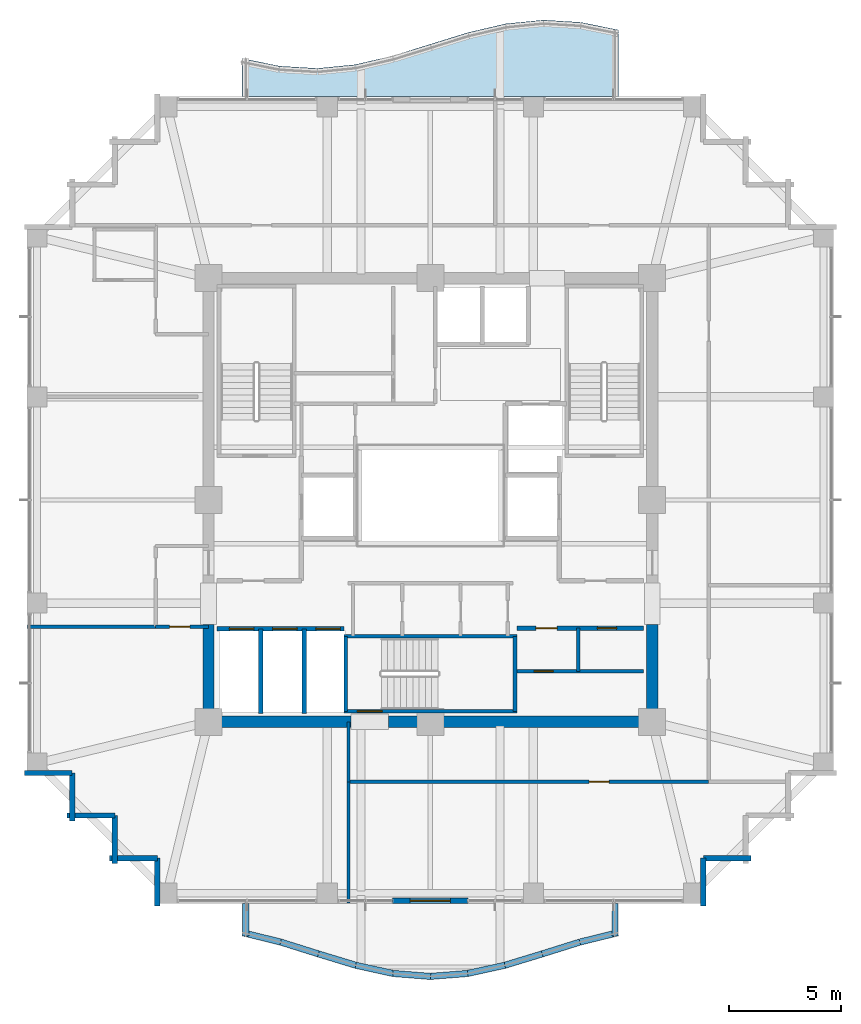
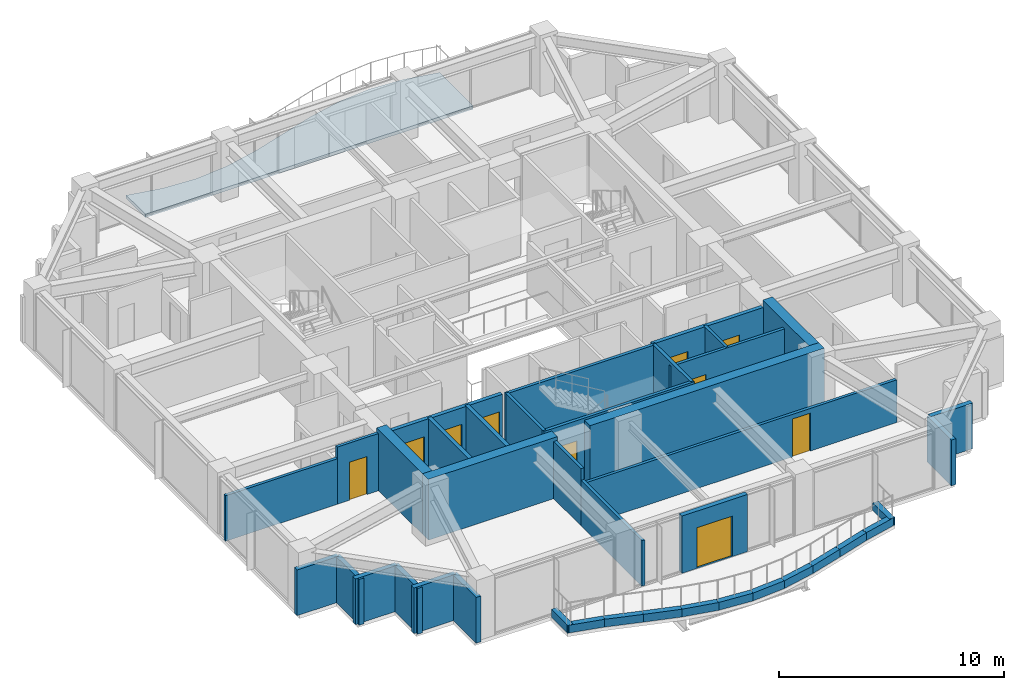
# One storey, part 26 of 31: 40 walls, 10 doors, 1 slab, 10 openings.
"""IFC4 building model written with IfcOpenShell, lengths in metres."""

from ifc_helpers import new_model, si_unit, direction, frame, frame_2d, origin, place, context, subcontext, project, spatial, polyline, rectangle, outline, extrude, material, layer, layer_set, type_object, element, fill, save


model = new_model("IFC4")

# Units and contexts
model_context = context("Model", 3, precision=1e-05, world=origin(), true_north=direction((0.0, 1.0)))
body_context = subcontext(model_context, "Body", "Model", "MODEL_VIEW")
ifc_project = project(units=[si_unit("LENGTHUNIT", "METRE"), si_unit("AREAUNIT", "SQUARE_METRE"), si_unit("VOLUMEUNIT", "CUBIC_METRE"), si_unit("PLANEANGLEUNIT", "RADIAN"), si_unit("MASSUNIT", "GRAM", prefix="KILO")], contexts=[model_context])

# Site, building, storey
site_placement = place(None, origin())
site = spatial("IfcSite", under=ifc_project, at=site_placement, CompositionType="ELEMENT")
building_placement = place(site_placement, origin())
building = spatial("IfcBuilding", under=site, at=building_placement, Name="Kolvaren Belvedere", CompositionType="ELEMENT")
storey_placement = place(building_placement, frame((0.0, 0.0, 134.89990234375)))
storey = spatial("IfcBuildingStorey", under=building, at=storey_placement, Name="L39", CompositionType="ELEMENT", Elevation=134.89990234375)

# Slab
ifc_material_1 = material(Name="Concrete C50/60", Category="concrete")
ifc_layer_1 = layer(ifc_material_1, 0.179931640625)
ifc_layer_set_1 = layer_set([ifc_layer_1], Name="Concrete C50/60")
slab_type = type_object("IfcSlabType", Name="SL-BAL-180", PredefinedType="FLOOR", material=ifc_layer_set_1)
slab_placement = place(storey_placement, frame((0.0, 0.0, -0.199951171875)))
element("IfcSlab", 1, at=slab_placement, inside=storey, type_object=slab_type, Name="L39 Planted Balcony BAL-N", PredefinedType="FLOOR", context=body_context, shape_type="SweptSolid", body=[
    extrude(outline(polyline([(-8.39990234375, 18.0), (-6.719970703125, 18.0), (-5.0400390625, 18.0), (-3.360107421875, 18.0), (-1.679931640625, 18.0), (0.0, 18.0), (1.679931640625, 18.0), (3.360107421875, 18.0), (5.0400390625, 18.0), (6.719970703125, 18.0), (8.39990234375, 18.0), (8.39990234375, 20.974853515625), (6.719970703125, 21.317138671875), (5.0400390625, 21.419921875), (3.360107421875, 21.251953125), (1.679931640625, 20.8603515625), (0.0, 20.340087890625), (-1.679931640625, 19.819580078125), (-3.360107421875, 19.427978515625), (-5.0400390625, 19.26220703125), (-6.719970703125, 19.36279296875), (-8.39990234375, 19.705078125), (-8.39990234375, 18.0)])), origin(), (0.0, 0.0, 1.0), 0.179931640625),
])

# Walls
ifc_material_2 = material(Name="Concrete C50/60", Category="concrete")
ifc_layer_2 = layer(ifc_material_2, 0.5)
ifc_layer_set_2 = layer_set([ifc_layer_2], Name="Concrete C50/60")
wall_type_1 = type_object("IfcWallType", Name="CW-CORE-500", PredefinedType="SHEAR", material=ifc_layer_set_2)
wall_1_placement = place(storey_placement, frame((10.14990234375, -9.89990234375, 0.0), z_axis=(0.0, 0.0, 1.0), x_axis=(-1.0, 0.0, 0.0)))
element("IfcWall", 2, at=wall_1_placement, inside=storey, type_object=wall_type_1, Name="L39 South Core Shear Wall 1", PredefinedType="SHEAR", context=body_context, shape_type="SweptSolid", body=[
    extrude(rectangle(XDim=12.010009765625, YDim=0.5, at=frame_2d((6.0048828125, 0.0))), origin(), (0.0, 0.0, 1.0), 3.300048828125),
])
wall_2_placement = place(storey_placement, frame((-3.5400390625, -9.89990234375, 0.0), z_axis=(0.0, 0.0, 1.0), x_axis=(-1.0, 0.0, 0.0)))
element("IfcWall", 3, at=wall_2_placement, inside=storey, type_object=wall_type_1, Name="L39 South Core Shear Wall 2", PredefinedType="SHEAR", context=body_context, shape_type="SweptSolid", body=[
    extrude(rectangle(XDim=6.60986328125, YDim=0.5, at=frame_2d((3.304931640625, 0.0))), origin(), (0.0, 0.0, 1.0), 3.300048828125),
])
for number, where, z_axis, x_axis, name in (
    (4, (-9.89990234375, -9.64990234375, 0.0), (0.0, 0.0, 1.0), (0.0, 1.0, 0.0), "L39 West Core Shear Wall 1"),
    (5, (9.89990234375, -9.64990234375, 0.0), (0.0, 0.0, 1.0), (0.0, 1.0, 0.0), "L39 East Core Shear Wall 1"),
):
    element("IfcWall", number, at=place(storey_placement, frame(where, z_axis=z_axis, x_axis=x_axis)), inside=storey, type_object=wall_type_1, Name=name, PredefinedType="SHEAR", context=body_context, shape_type="SweptSolid", body=[
        extrude(rectangle(XDim=4.099853515625, YDim=0.5, at=frame_2d((2.0498046875, 0.0))), origin(), (0.0, 0.0, 1.0), 3.300048828125),
    ])

# Wall, opening, door
ifc_material_3 = material(Name="Concrete C50/60", Category="concrete")
ifc_layer_3 = layer(ifc_material_3, 0.159912109375)
ifc_layer_set_3 = layer_set([ifc_layer_3], Name="Concrete C50/60")
wall_type_2 = type_object("IfcWallType", Name="CW-STAIR-160", PredefinedType="SHEAR", material=ifc_layer_set_3)
wall_3_placement = place(storey_placement, frame((3.860107421875, -9.429931640625, 0.0), z_axis=(0.0, 0.0, 1.0), x_axis=(-1.0, 0.0, 0.0)))
wall_3 = element("IfcWall", 6, at=wall_3_placement, inside=storey, type_object=wall_type_2, Name="L39 Stair ST-3 South Shear Wall", PredefinedType="SHEAR", context=body_context, shape_type="SweptSolid", body=[
    extrude(rectangle(XDim=7.72021484375, YDim=0.159912109375, at=frame_2d((3.860107421875, 0.0))), origin(), (0.0, 0.0, 1.0), 3.300048828125),
])
opening_1_placement = place(wall_3_placement, frame((6.010009765625, 0.0, 0.0)))
opening_1 = element("IfcOpeningElement", 7, at=opening_1_placement, cuts=wall_3, Name="Opening D-FD90", PredefinedType="OPENING", context=body_context, shape_type="SweptSolid", body=[
    extrude(rectangle(XDim=1.10009765625, YDim=2.199951171875, at=frame_2d((0.550048828125, 1.10009765625))), frame((0.0, 0.08984375, 0.0), z_axis=(0.0, -1.0, 0.0), x_axis=(1.0, 0.0, 0.0)), (0.0, 0.0, 1.0), 0.179931640625),
])
ifc_material_4 = material(Name="Painted hollow stainless steel", Category="steel")
door_type_1 = type_object("IfcDoorType", Name="DR-FD90-1100", OperationType="NOTDEFINED", PredefinedType="DOOR", material=ifc_material_4)
door_1_placement = place(opening_1_placement, origin())
door_1 = element("IfcDoor", 8, at=door_1_placement, inside=storey, type_object=door_type_1, Name="L39 Stair ST-3 Exit Door", OperationType="SINGLE_SWING_RIGHT", OverallHeight=2.199951171875, OverallWidth=1.10009765625, PredefinedType="DOOR", context=body_context, shape_type="SweptSolid", body=[
    extrude(rectangle(XDim=1.10009765625, YDim=2.199951171875, at=frame_2d((0.550048828125, 1.10009765625))), frame((0.0, 0.02490234375, 0.0), z_axis=(0.0, -1.0, 0.0), x_axis=(1.0, 0.0, 0.0)), (0.0, 0.0, 1.0), 0.050048828125),
])
fill(opening_1, door_1)

# Walls
wall_4_placement = place(storey_placement, frame((-3.860107421875, -6.080078125, 0.0), z_axis=(0.0, 0.0, 1.0), x_axis=(1.0, 0.0, 0.0)))
element("IfcWall", 9, at=wall_4_placement, inside=storey, type_object=wall_type_2, Name="L39 Stair ST-3 North Shear Wall", PredefinedType="SHEAR", context=body_context, shape_type="SweptSolid", body=[
    extrude(rectangle(XDim=7.72021484375, YDim=0.159912109375, at=frame_2d((3.860107421875, 0.0))), origin(), (0.0, 0.0, 1.0), 3.300048828125),
])
for number, where, z_axis, x_axis, name in (
    (10, (-3.780029296875, -9.429931640625, 0.0), (0.0, 0.0, 1.0), (0.0, 1.0, 0.0), "L39 Stair ST-3 West Shear Wall"),
    (11, (3.780029296875, -9.429931640625, 0.0), (0.0, 0.0, 1.0), (0.0, 1.0, 0.0), "L39 Stair ST-3 East Shear Wall"),
):
    element("IfcWall", number, at=place(storey_placement, frame(where, z_axis=z_axis, x_axis=x_axis)), inside=storey, type_object=wall_type_2, Name=name, PredefinedType="SHEAR", context=body_context, shape_type="SweptSolid", body=[
        extrude(rectangle(XDim=3.349853515625, YDim=0.159912109375, at=frame_2d((1.6748046875, 0.0))), origin(), (0.0, 0.0, 1.0), 3.300048828125),
    ])

# Wall, opening, door
ifc_material_5 = material(Name="Gypsum fire-rated partition assembly", Category="gypsum")
ifc_layer_4 = layer(ifc_material_5, 0.14990234375)
ifc_layer_set_4 = layer_set([ifc_layer_4], Name="Gypsum fire-rated partition assembly")
wall_type_3 = type_object("IfcWallType", Name="WL-CORR-150", PredefinedType="PARTITIONING", material=ifc_layer_set_4)
wall_5_placement = place(storey_placement, frame((-3.64990234375, -12.580078125, 0.0), z_axis=(0.0, 0.0, 1.0), x_axis=(1.0, 0.0, 0.0)))
wall_5 = element("IfcWall", 12, at=wall_5_placement, inside=storey, type_object=wall_type_3, Name="L39 South-East Corridor Wall", PredefinedType="PARTITIONING", context=body_context, shape_type="SweptSolid", body=[
    extrude(rectangle(XDim=16.06982421875, YDim=0.14990234375, at=frame_2d((8.034912109375, 0.0))), origin(), (0.0, 0.0, 1.0), 2.31201171875),
])
opening_2_placement = place(wall_5_placement, frame((10.735107421875, 0.0, 0.0)))
opening_2 = element("IfcOpeningElement", 13, at=opening_2_placement, cuts=wall_5, Name="Opening D-INT90", PredefinedType="OPENING", context=body_context, shape_type="SweptSolid", body=[
    extrude(rectangle(XDim=0.89990234375, YDim=2.06005859375, at=frame_2d((0.449951171875, 1.030029296875))), frame((0.0, 0.0849609375, 0.0), z_axis=(0.0, -1.0, 0.0), x_axis=(1.0, 0.0, 0.0)), (0.0, 0.0, 1.0), 0.169921875),
])
ifc_material_6 = material(Name="Stained Pacific white oak", Category="timber")
door_type_2 = type_object("IfcDoorType", Name="DR-INT-900", OperationType="NOTDEFINED", PredefinedType="DOOR", material=ifc_material_6)
door_2_placement = place(opening_2_placement, origin())
door_2 = element("IfcDoor", 14, at=door_2_placement, inside=storey, type_object=door_type_2, Name="L39 Lounge 3908 Door", OperationType="SINGLE_SWING_LEFT", OverallHeight=2.06005859375, OverallWidth=0.89990234375, PredefinedType="DOOR", context=body_context, shape_type="SweptSolid", body=[
    extrude(rectangle(XDim=0.89990234375, YDim=2.06005859375, at=frame_2d((0.449951171875, 1.030029296875))), frame((0.0, 0.02490234375, 0.0), z_axis=(0.0, -1.0, 0.0), x_axis=(1.0, 0.0, 0.0)), (0.0, 0.0, 1.0), 0.050048828125),
])
fill(opening_2, door_2)

# Wall
wall_6_placement = place(storey_placement, frame((-3.64990234375, -12.580078125, 0.0), z_axis=(0.0, 0.0, 1.0), x_axis=(0.0, 1.0, 0.0)))
element("IfcWall", 15, at=wall_6_placement, inside=storey, type_object=wall_type_3, Name="L39 South Spur West Closure Wall", PredefinedType="PARTITIONING", context=body_context, shape_type="SweptSolid", body=[
    extrude(rectangle(XDim=2.68017578125, YDim=0.14990234375, at=frame_2d((1.340087890625, 0.0))), origin(), (0.0, 0.0, 1.0), 3.10009765625),
])

# Wall, opening, door
wall_7_placement = place(storey_placement, frame((-12.260009765625, -5.64990234375, 0.0), z_axis=(0.0, 0.0, 1.0), x_axis=(1.0, 0.0, 0.0)))
wall_7 = element("IfcWall", 16, at=wall_7_placement, inside=storey, type_object=wall_type_3, Name="L39 West Pocket South Closure Wall", PredefinedType="PARTITIONING", context=body_context, shape_type="SweptSolid", body=[
    extrude(rectangle(XDim=2.360107421875, YDim=0.14990234375, at=frame_2d((1.18017578125, 0.0))), origin(), (0.0, 0.0, 1.0), 3.10009765625),
])
opening_3_placement = place(wall_7_placement, frame((0.631591796875, 0.0, 0.0)))
opening_3 = element("IfcOpeningElement", 17, at=opening_3_placement, cuts=wall_7, Name="Opening D-INT90", PredefinedType="OPENING", context=body_context, shape_type="SweptSolid", body=[
    extrude(rectangle(XDim=0.89990234375, YDim=2.06005859375, at=frame_2d((0.449951171875, 1.030029296875))), frame((0.0, 0.0849609375, 0.0), z_axis=(0.0, -1.0, 0.0), x_axis=(1.0, 0.0, 0.0)), (0.0, 0.0, 1.0), 0.169921875),
])
door_3_placement = place(opening_3_placement, origin())
door_3 = element("IfcDoor", 18, at=door_3_placement, inside=storey, type_object=door_type_2, Name="L39 Lounge 3907 Door", OperationType="SINGLE_SWING_RIGHT", OverallHeight=2.06005859375, OverallWidth=0.89990234375, PredefinedType="DOOR", context=body_context, shape_type="SweptSolid", body=[
    extrude(rectangle(XDim=0.89990234375, YDim=2.06005859375, at=frame_2d((0.449951171875, 1.030029296875))), frame((0.0, 0.02490234375, 0.0), z_axis=(0.0, -1.0, 0.0), x_axis=(1.0, 0.0, 0.0)), (0.0, 0.0, 1.0), 0.050048828125),
])
fill(opening_3, door_3)

ifc_material_7 = material(Name="Insulated pale-metal facade wall assembly", Category="aluminium")
ifc_layer_5 = layer(ifc_material_7, 0.239990234375)
ifc_layer_set_5 = layer_set([ifc_layer_5], Name="Insulated pale-metal facade wall assembly")
wall_type_4 = type_object("IfcWallType", Name="WL-EXT-240", PredefinedType="STANDARD", material=ifc_layer_set_5)
wall_8_placement = place(storey_placement, frame((1.679931640625, -17.8798828125, 0.0), z_axis=(0.0, 0.0, 1.0), x_axis=(-1.0, 0.0, 0.0)))
wall_8 = element("IfcWall", 19, at=wall_8_placement, inside=storey, type_object=wall_type_4, Name="L39 South Terrace Portal Wall", PredefinedType="STANDARD", context=body_context, shape_type="SweptSolid", body=[
    extrude(rectangle(XDim=3.35986328125, YDim=0.239990234375, at=frame_2d((1.679931640625, 0.0))), origin(), (0.0, 0.0, 1.0), 3.10009765625),
])
opening_4_placement = place(wall_8_placement, frame((0.780029296875, 0.0, 0.0)))
opening_4 = element("IfcOpeningElement", 20, at=opening_4_placement, cuts=wall_8, Name="Opening DB-1800", PredefinedType="OPENING", context=body_context, shape_type="SweptSolid", body=[
    extrude(rectangle(XDim=1.800048828125, YDim=2.199951171875, at=frame_2d((0.89990234375, 1.10009765625))), frame((0.0, 0.1298828125, 0.0), z_axis=(0.0, -1.0, 0.0), x_axis=(1.0, 0.0, 0.0)), (0.0, 0.0, 1.0), 0.260009765625),
])
ifc_material_8 = material(Name="Thermally broken pale-metal aluminium & low-iron glass", Category="aluminium")
door_type_3 = type_object("IfcDoorType", Name="DR-BAL-1800", OperationType="DOUBLE_DOOR_SLIDING", PredefinedType="DOOR", material=ifc_material_8)
door_4_placement = place(opening_4_placement, origin())
door_4 = element("IfcDoor", 21, at=door_4_placement, inside=storey, type_object=door_type_3, Name="L39 South Planted Terrace Sliding Door", OperationType="DOUBLE_DOOR_SLIDING", OverallHeight=2.199951171875, OverallWidth=1.800048828125, PredefinedType="DOOR", context=body_context, shape_type="SweptSolid", body=[
    extrude(rectangle(XDim=1.800048828125, YDim=2.199951171875, at=frame_2d((0.89990234375, 1.10009765625))), frame((0.0, 0.02490234375, 0.0), z_axis=(0.0, -1.0, 0.0), x_axis=(1.0, 0.0, 0.0)), (0.0, 0.0, 1.0), 0.050048828125),
])
fill(opening_4, door_4)

# Walls
for number, where, z_axis, x_axis, name in (
    (22, (12.179931640625, -15.97998046875, 0.0), (0.0, 0.0, 1.0), (0.0, -1.0, 0.0), "L39 Serrated Corner Facade Wall 2"),
    (23, (14.320068359375, -15.97998046875, 0.0), (0.0, 0.0, 1.0), (-1.0, 0.0, 0.0), "L39 Serrated Corner Facade Wall 3"),
    (24, (-15.97998046875, -12.179931640625, 0.0), (0.0, 0.0, 1.0), (-1.0, 0.0, 0.0), "L39 Serrated Corner Facade Wall 23"),
    (25, (-15.97998046875, -14.320068359375, 0.0), (0.0, 0.0, 1.0), (0.0, 1.0, 0.0), "L39 Serrated Corner Facade Wall 24"),
):
    element("IfcWall", number, at=place(storey_placement, frame(where, z_axis=z_axis, x_axis=x_axis)), inside=storey, type_object=wall_type_4, Name=name, PredefinedType="STANDARD", context=body_context, shape_type="SweptSolid", body=[
        extrude(rectangle(XDim=2.14013671875, YDim=0.239990234375, at=frame_2d((1.070068359375, 0.0))), origin(), (0.0, 0.0, 1.0), 2.47900390625),
    ])
for number, where, z_axis, x_axis, name in (
    (26, (-14.080078125, -14.080078125, 0.0), (0.0, 0.0, 1.0), (-1.0, 0.0, 0.0), "L39 Serrated Corner Facade Wall 25"),
    (27, (-14.080078125, -16.219970703125, 0.0), (0.0, 0.0, 1.0), (0.0, 1.0, 0.0), "L39 Serrated Corner Facade Wall 26"),
):
    element("IfcWall", number, at=place(storey_placement, frame(where, z_axis=z_axis, x_axis=x_axis)), inside=storey, type_object=wall_type_4, Name=name, PredefinedType="STANDARD", context=body_context, shape_type="SweptSolid", body=[
        extrude(rectangle(XDim=2.139892578125, YDim=0.239990234375, at=frame_2d((1.06982421875, 0.0))), origin(), (0.0, 0.0, 1.0), 2.47900390625),
    ])
for number, where, z_axis, x_axis, name in (
    (28, (-12.179931640625, -15.97998046875, 0.0), (0.0, 0.0, 1.0), (-1.0, 0.0, 0.0), "L39 Serrated Corner Facade Wall 27"),
    (29, (-12.179931640625, -18.1201171875, 0.0), (0.0, 0.0, 1.0), (0.0, 1.0, 0.0), "L39 Serrated Corner Facade Wall 28"),
):
    element("IfcWall", number, at=place(storey_placement, frame(where, z_axis=z_axis, x_axis=x_axis)), inside=storey, type_object=wall_type_4, Name=name, PredefinedType="STANDARD", context=body_context, shape_type="SweptSolid", body=[
        extrude(rectangle(XDim=2.14013671875, YDim=0.239990234375, at=frame_2d((1.070068359375, 0.0))), origin(), (0.0, 0.0, 1.0), 2.47900390625),
    ])

# Wall, opening, door
ifc_material_9 = material(Name="Gypsum acoustic partition assembly", Category="gypsum")
ifc_layer_6 = layer(ifc_material_9, 0.14990234375)
ifc_layer_set_6 = layer_set([ifc_layer_6], Name="Gypsum acoustic partition assembly")
wall_type_5 = type_object("IfcWallType", Name="WL-PART-150", PredefinedType="PARTITIONING", material=ifc_layer_set_6)
wall_9_placement = place(storey_placement, frame((3.679931640625, -7.64990234375, 0.0), z_axis=(0.0, 0.0, 1.0), x_axis=(1.0, 0.0, 0.0)))
wall_9 = element("IfcWall", 30, at=wall_9_placement, inside=storey, type_object=wall_type_5, Name="L39 SE Core H-Divider", PredefinedType="PARTITIONING", context=body_context, shape_type="SweptSolid", body=[
    extrude(rectangle(XDim=5.840087890625, YDim=0.14990234375, at=frame_2d((2.919921875, 0.0))), origin(), (0.0, 0.0, 1.0), 3.10009765625),
])
opening_5_placement = place(wall_9_placement, frame((0.949951171875, 0.0, 0.0)))
opening_5 = element("IfcOpeningElement", 31, at=opening_5_placement, cuts=wall_9, Name="Opening D-INT85", PredefinedType="OPENING", context=body_context, shape_type="SweptSolid", body=[
    extrude(rectangle(XDim=0.85009765625, YDim=2.030029296875, at=frame_2d((0.425048828125, 1.01513671875))), frame((0.0, 0.0849609375, 0.0), z_axis=(0.0, -1.0, 0.0), x_axis=(1.0, 0.0, 0.0)), (0.0, 0.0, 1.0), 0.169921875),
])
ifc_material_10 = material(Name="Stained Pacific white oak", Category="timber")
door_type_4 = type_object("IfcDoorType", Name="DR-INT-850", OperationType="NOTDEFINED", PredefinedType="DOOR", material=ifc_material_10)
door_5_placement = place(opening_5_placement, origin())
door_5 = element("IfcDoor", 32, at=door_5_placement, inside=storey, type_object=door_type_4, Name="L39 SE Fibre Door", OperationType="SINGLE_SWING_RIGHT", OverallHeight=2.030029296875, OverallWidth=0.85009765625, PredefinedType="DOOR", context=body_context, shape_type="SweptSolid", body=[
    extrude(rectangle(XDim=0.85009765625, YDim=2.030029296875, at=frame_2d((0.425048828125, 1.01513671875))), frame((0.0, 0.02490234375, 0.0), z_axis=(0.0, -1.0, 0.0), x_axis=(1.0, 0.0, 0.0)), (0.0, 0.0, 1.0), 0.050048828125),
])
fill(opening_5, door_5)

# Walls
wall_10_placement = place(storey_placement, frame((6.60009765625, -7.64990234375, 0.0), z_axis=(0.0, 0.0, 1.0), x_axis=(0.0, 1.0, 0.0)))
element("IfcWall", 33, at=wall_10_placement, inside=storey, type_object=wall_type_5, Name="L39 SE Core V-Divider", PredefinedType="PARTITIONING", context=body_context, shape_type="SweptSolid", body=[
    extrude(rectangle(XDim=1.929931640625, YDim=0.14990234375, at=frame_2d((0.96484375, 0.0))), origin(), (0.0, 0.0, 1.0), 3.10009765625),
])
wall_11_placement = place(storey_placement, frame((-17.97998046875, -5.64990234375, 0.0), z_axis=(0.0, 0.0, 1.0), x_axis=(1.0, 0.0, 0.0)))
element("IfcWall", 34, at=wall_11_placement, inside=storey, type_object=wall_type_5, Name="L39 West Mid Suite South Wall", PredefinedType="PARTITIONING", context=body_context, shape_type="SweptSolid", body=[
    extrude(rectangle(XDim=5.719970703125, YDim=0.14990234375, at=frame_2d((2.85986328125, 0.0))), origin(), (0.0, 0.0, 1.0), 2.468994140625),
])
wall_12_placement = place(storey_placement, frame((-3.64990234375, -17.97998046875, 0.0), z_axis=(0.0, 0.0, 1.0), x_axis=(0.0, 1.0, 0.0)))
element("IfcWall", 35, at=wall_12_placement, inside=storey, type_object=wall_type_5, Name="L39 South Mid-West Wall", PredefinedType="PARTITIONING", context=body_context, shape_type="SweptSolid", body=[
    extrude(rectangle(XDim=5.39990234375, YDim=0.14990234375, at=frame_2d((2.699951171875, 0.0))), origin(), (0.0, 0.0, 1.0), 2.468994140625),
])
ifc_material_11 = material(Name="Precast concrete C40/50", Category="concrete")
ifc_layer_7 = layer(ifc_material_11, 0.300048828125)
ifc_layer_set_7 = layer_set([ifc_layer_7], Name="Precast concrete C40/50")
wall_type_6 = type_object("IfcWallType", Name="WL-PLANTER-300", PredefinedType="PARAPET", material=ifc_layer_set_7)
wall_13_placement = place(storey_placement, frame((-8.36181640625, -19.310791015625, -0.02001953125), z_axis=(0.0, 0.0, 1.0), x_axis=(0.970950361768, -0.239280995867, 0.0)))
element("IfcWall", 36, at=wall_13_placement, inside=storey, type_object=wall_type_6, Name="L39 Precast Structural Planter Wall BAL-S-1", PredefinedType="PARAPET", context=body_context, shape_type="SweptSolid", body=[
    extrude(rectangle(XDim=1.73046875, YDim=0.280029296875, at=frame_2d((0.865234375, 0.0))), origin(), (0.0, 0.0, 1.0), 0.420166015625),
])
wall_14_placement = place(storey_placement, frame((-6.672119140625, -19.7275390625, -0.02001953125), z_axis=(0.0, 0.0, 1.0), x_axis=(0.954057149461, -0.299624691176, 0.0)))
element("IfcWall", 37, at=wall_14_placement, inside=storey, type_object=wall_type_6, Name="L39 Precast Structural Planter Wall BAL-S-2", PredefinedType="PARAPET", context=body_context, shape_type="SweptSolid", body=[
    extrude(rectangle(XDim=1.7607421875, YDim=0.280029296875, at=frame_2d((0.88037109375, 0.0))), origin(), (0.0, 0.0, 1.0), 0.420166015625),
])
wall_15_placement = place(storey_placement, frame((-4.993408203125, -20.254638671875, -0.02001953125), z_axis=(0.0, 0.0, 1.0), x_axis=(0.956721015747, -0.291006697567, 0.0)))
element("IfcWall", 38, at=wall_15_placement, inside=storey, type_object=wall_type_6, Name="L39 Precast Structural Planter Wall BAL-S-3", PredefinedType="PARAPET", context=body_context, shape_type="SweptSolid", body=[
    extrude(rectangle(XDim=1.755859375, YDim=0.280029296875, at=frame_2d((0.8779296875, 0.0))), origin(), (0.0, 0.0, 1.0), 0.420166015625),
])
wall_16_placement = place(storey_placement, frame((-3.32568359375, -20.762451171875, -0.02001953125), z_axis=(0.0, 0.0, 1.0), x_axis=(0.976876857632, -0.213802724545, 0.0)))
element("IfcWall", 39, at=wall_16_placement, inside=storey, type_object=wall_type_6, Name="L39 Precast Structural Planter Wall BAL-S-4", PredefinedType="PARAPET", context=body_context, shape_type="SweptSolid", body=[
    extrude(rectangle(XDim=1.7197265625, YDim=0.280029296875, at=frame_2d((0.85986328125, 0.0))), origin(), (0.0, 0.0, 1.0), 0.420166015625),
])
for number, where, z_axis, x_axis, name in (
    (40, (-1.667236328125, -21.126953125, -0.02001953125), (0.0, 0.0, 1.0), (0.99685522818, -0.079244268248, 0.0), "L39 Precast Structural Planter Wall BAL-S-5"),
    (41, (-0.0126953125, -21.260498046875, -0.02001953125), (0.0, 0.0, 1.0), (0.99685522818, 0.079244268248, 0.0), "L39 Precast Structural Planter Wall BAL-S-6"),
):
    element("IfcWall", number, at=place(storey_placement, frame(where, z_axis=z_axis, x_axis=x_axis)), inside=storey, type_object=wall_type_6, Name=name, PredefinedType="PARAPET", context=body_context, shape_type="SweptSolid", body=[
        extrude(rectangle(XDim=1.685302734375, YDim=0.280029296875, at=frame_2d((0.8427734375, 0.0))), origin(), (0.0, 0.0, 1.0), 0.420166015625),
    ])
wall_17_placement = place(storey_placement, frame((1.645751953125, -21.130126953125, -0.02001953125), z_axis=(0.0, 0.0, 1.0), x_axis=(0.976876857632, 0.213802724545, 0.0)))
element("IfcWall", 42, at=wall_17_placement, inside=storey, type_object=wall_type_6, Name="L39 Precast Structural Planter Wall BAL-S-7", PredefinedType="PARAPET", context=body_context, shape_type="SweptSolid", body=[
    extrude(rectangle(XDim=1.7197265625, YDim=0.280029296875, at=frame_2d((0.85986328125, 0.0))), origin(), (0.0, 0.0, 1.0), 0.420166015625),
])
wall_18_placement = place(storey_placement, frame((3.3134765625, -20.765625, -0.02001953125), z_axis=(0.0, 0.0, 1.0), x_axis=(0.956721015747, 0.291006697567, 0.0)))
element("IfcWall", 43, at=wall_18_placement, inside=storey, type_object=wall_type_6, Name="L39 Precast Structural Planter Wall BAL-S-8", PredefinedType="PARAPET", context=body_context, shape_type="SweptSolid", body=[
    extrude(rectangle(XDim=1.755859375, YDim=0.280029296875, at=frame_2d((0.8779296875, 0.0))), origin(), (0.0, 0.0, 1.0), 0.420166015625),
])
wall_19_placement = place(storey_placement, frame((4.9921875, -20.255126953125, -0.02001953125), z_axis=(0.0, 0.0, 1.0), x_axis=(0.954057149461, 0.299624691176, 0.0)))
element("IfcWall", 44, at=wall_19_placement, inside=storey, type_object=wall_type_6, Name="L39 Precast Structural Planter Wall BAL-S-9", PredefinedType="PARAPET", context=body_context, shape_type="SweptSolid", body=[
    extrude(rectangle(XDim=1.7607421875, YDim=0.280029296875, at=frame_2d((0.88037109375, 0.0))), origin(), (0.0, 0.0, 1.0), 0.420166015625),
])
wall_20_placement = place(storey_placement, frame((6.681640625, -19.724853515625, -0.02001953125), z_axis=(0.0, 0.0, 1.0), x_axis=(0.970950361768, 0.239280995867, 0.0)))
element("IfcWall", 45, at=wall_20_placement, inside=storey, type_object=wall_type_6, Name="L39 Precast Structural Planter Wall BAL-S-10", PredefinedType="PARAPET", context=body_context, shape_type="SweptSolid", body=[
    extrude(rectangle(XDim=1.73046875, YDim=0.280029296875, at=frame_2d((0.865234375, 0.0))), origin(), (0.0, 0.0, 1.0), 0.420166015625),
])
for number, where, z_axis, x_axis, name in (
    (46, (8.239990234375, -19.46630859375, -0.02001953125), (0.0, 0.0, 1.0), (0.0, 1.0, 0.0), "L39 Precast Structural Planter Wall BAL-S-11"),
    (47, (-8.239990234375, -18.0, -0.02001953125), (0.0, 0.0, 1.0), (0.0, -1.0, 0.0), "L39 Precast Structural Planter Wall BAL-S-22"),
):
    element("IfcWall", number, at=place(storey_placement, frame(where, z_axis=z_axis, x_axis=x_axis)), inside=storey, type_object=wall_type_6, Name=name, PredefinedType="PARAPET", context=body_context, shape_type="SweptSolid", body=[
        extrude(rectangle(XDim=1.46630859375, YDim=0.280029296875, at=frame_2d((0.733154296875, 0.0))), origin(), (0.0, 0.0, 1.0), 0.420166015625),
    ])

# Wall, openings, doors
ifc_material_12 = material(Name="Concrete C50/60", Category="concrete")
ifc_layer_8 = layer(ifc_material_12, 0.199951171875)
ifc_layer_set_8 = layer_set([ifc_layer_8], Name="Concrete C50/60")
wall_type_7 = type_object("IfcWallType", Name="WL-SHAFT-200", PredefinedType="SOLIDWALL", material=ifc_layer_set_8)
wall_21_placement = place(storey_placement, frame((-9.52001953125, -5.75, 0.0), z_axis=(0.0, 0.0, 1.0), x_axis=(1.0, 0.0, 0.0)))
wall_21 = element("IfcWall", 48, at=wall_21_placement, inside=storey, type_object=wall_type_7, Name="L39 Mid-Rise Lift Bank Front Wall", PredefinedType="SOLIDWALL", context=body_context, shape_type="SweptSolid", body=[
    extrude(rectangle(XDim=5.659912109375, YDim=0.199951171875, at=frame_2d((2.830078125, 0.0))), origin(), (0.0, 0.0, 1.0), 3.10009765625),
])
opening_6_placement = place(wall_21_placement, frame((0.550048828125, 0.0, 0.0)))
opening_6 = element("IfcOpeningElement", 49, at=opening_6_placement, cuts=wall_21, Name="Opening LD-11", PredefinedType="OPENING", context=body_context, shape_type="SweptSolid", body=[
    extrude(rectangle(XDim=1.10009765625, YDim=2.199951171875, at=frame_2d((0.550048828125, 1.10009765625))), frame((0.0, 0.10986328125, 0.0), z_axis=(0.0, -1.0, 0.0), x_axis=(1.0, 0.0, 0.0)), (0.0, 0.0, 1.0), 0.219970703125),
])
opening_7_placement = place(wall_21_placement, frame((2.47998046875, 0.0, 0.0)))
opening_7 = element("IfcOpeningElement", 50, at=opening_7_placement, cuts=wall_21, Name="Opening LD-11", PredefinedType="OPENING", context=body_context, shape_type="SweptSolid", body=[
    extrude(rectangle(XDim=1.10009765625, YDim=2.199951171875, at=frame_2d((0.550048828125, 1.10009765625))), frame((0.0, 0.10986328125, 0.0), z_axis=(0.0, -1.0, 0.0), x_axis=(1.0, 0.0, 0.0)), (0.0, 0.0, 1.0), 0.219970703125),
])
opening_8_placement = place(wall_21_placement, frame((4.409912109375, 0.0, 0.0)))
opening_8 = element("IfcOpeningElement", 51, at=opening_8_placement, cuts=wall_21, Name="Opening LD-11", PredefinedType="OPENING", context=body_context, shape_type="SweptSolid", body=[
    extrude(rectangle(XDim=1.10009765625, YDim=2.199951171875, at=frame_2d((0.550048828125, 1.10009765625))), frame((0.0, 0.10986328125, 0.0), z_axis=(0.0, -1.0, 0.0), x_axis=(1.0, 0.0, 0.0)), (0.0, 0.0, 1.0), 0.219970703125),
])
ifc_material_13 = material(Name="Brushed stainless steel", Category="steel")
door_type_5 = type_object("IfcDoorType", Name="DR-LIFT-1100", OperationType="DOUBLE_DOOR_SLIDING", PredefinedType="DOOR", material=ifc_material_13)
door_6_placement = place(opening_6_placement, origin())
door_6 = element("IfcDoor", 52, at=door_6_placement, inside=storey, type_object=door_type_5, Name="L39 Passenger Lift P4 Landing Door", OperationType="DOUBLE_DOOR_SLIDING", OverallHeight=2.199951171875, OverallWidth=1.10009765625, PredefinedType="DOOR", context=body_context, shape_type="SweptSolid", body=[
    extrude(rectangle(XDim=1.10009765625, YDim=2.199951171875, at=frame_2d((0.550048828125, 1.10009765625))), frame((0.0, 0.02490234375, 0.0), z_axis=(0.0, -1.0, 0.0), x_axis=(1.0, 0.0, 0.0)), (0.0, 0.0, 1.0), 0.050048828125),
])
fill(opening_6, door_6)
door_7_placement = place(opening_7_placement, origin())
door_7 = element("IfcDoor", 53, at=door_7_placement, inside=storey, type_object=door_type_5, Name="L39 Passenger Lift P5 Landing Door", OperationType="DOUBLE_DOOR_SLIDING", OverallHeight=2.199951171875, OverallWidth=1.10009765625, PredefinedType="DOOR", context=body_context, shape_type="SweptSolid", body=[
    extrude(rectangle(XDim=1.10009765625, YDim=2.199951171875, at=frame_2d((0.550048828125, 1.10009765625))), frame((0.0, 0.02490234375, 0.0), z_axis=(0.0, -1.0, 0.0), x_axis=(1.0, 0.0, 0.0)), (0.0, 0.0, 1.0), 0.050048828125),
])
fill(opening_7, door_7)
door_8_placement = place(opening_8_placement, origin())
door_8 = element("IfcDoor", 54, at=door_8_placement, inside=storey, type_object=door_type_5, Name="L39 Passenger Lift P6 Landing Door", OperationType="DOUBLE_DOOR_SLIDING", OverallHeight=2.199951171875, OverallWidth=1.10009765625, PredefinedType="DOOR", context=body_context, shape_type="SweptSolid", body=[
    extrude(rectangle(XDim=1.10009765625, YDim=2.199951171875, at=frame_2d((0.550048828125, 1.10009765625))), frame((0.0, 0.02490234375, 0.0), z_axis=(0.0, -1.0, 0.0), x_axis=(1.0, 0.0, 0.0)), (0.0, 0.0, 1.0), 0.050048828125),
])
fill(opening_8, door_8)

# Walls
for number, where, z_axis, x_axis, name in (
    (55, (-7.56005859375, -9.52001953125, 0.0), (0.0, 0.0, 1.0), (0.0, 1.0, 0.0), "L39 Mid-Rise Hoistway Divider 1"),
    (56, (-5.6298828125, -9.52001953125, 0.0), (0.0, 0.0, 1.0), (0.0, 1.0, 0.0), "L39 Mid-Rise Hoistway Divider 2"),
):
    element("IfcWall", number, at=place(storey_placement, frame(where, z_axis=z_axis, x_axis=x_axis)), inside=storey, type_object=wall_type_7, Name=name, PredefinedType="SOLIDWALL", context=body_context, shape_type="SweptSolid", body=[
        extrude(rectangle(XDim=3.77001953125, YDim=0.199951171875, at=frame_2d((1.885009765625, 0.0))), origin(), (0.0, 0.0, 1.0), 3.10009765625),
    ])

# Wall, openings, doors
wall_22_placement = place(storey_placement, frame((3.860107421875, -5.719970703125, 0.0), z_axis=(0.0, 0.0, 1.0), x_axis=(1.0, 0.0, 0.0)))
wall_22 = element("IfcWall", 57, at=wall_22_placement, inside=storey, type_object=wall_type_7, Name="L39 SE Core Distribution Wall", PredefinedType="SOLIDWALL", context=body_context, shape_type="SweptSolid", body=[
    extrude(rectangle(XDim=5.659912109375, YDim=0.199951171875, at=frame_2d((2.830078125, 0.0))), origin(), (0.0, 0.0, 1.0), 3.10009765625),
])
opening_9_placement = place(wall_22_placement, frame((0.85009765625, 0.0, 0.0)))
opening_9 = element("IfcOpeningElement", 58, at=opening_9_placement, cuts=wall_22, Name="Opening D-FD60", PredefinedType="OPENING", context=body_context, shape_type="SweptSolid", body=[
    extrude(rectangle(XDim=0.949951171875, YDim=2.06005859375, at=frame_2d((0.47509765625, 1.030029296875))), frame((0.0, 0.10986328125, 0.0), z_axis=(0.0, -1.0, 0.0), x_axis=(1.0, 0.0, 0.0)), (0.0, 0.0, 1.0), 0.219970703125),
])
opening_10_placement = place(wall_22_placement, frame((3.60009765625, 0.0, 0.0)))
opening_10 = element("IfcOpeningElement", 59, at=opening_10_placement, cuts=wall_22, Name="Opening D-INT85", PredefinedType="OPENING", context=body_context, shape_type="SweptSolid", body=[
    extrude(rectangle(XDim=0.85009765625, YDim=2.030029296875, at=frame_2d((0.425048828125, 1.01513671875))), frame((0.0, 0.10986328125, 0.0), z_axis=(0.0, -1.0, 0.0), x_axis=(1.0, 0.0, 0.0)), (0.0, 0.0, 1.0), 0.219970703125),
])
ifc_material_14 = material(Name="Acoustic white-oak fire door leaf", Category="timber")
door_type_6 = type_object("IfcDoorType", Name="DR-FD60-950", OperationType="NOTDEFINED", PredefinedType="DOOR", material=ifc_material_14)
door_9_placement = place(opening_9_placement, origin())
door_9 = element("IfcDoor", 60, at=door_9_placement, inside=storey, type_object=door_type_6, Name="L39 SE Pantry Door", OperationType="SINGLE_SWING_RIGHT", OverallHeight=2.06005859375, OverallWidth=0.949951171875, PredefinedType="DOOR", context=body_context, shape_type="SweptSolid", body=[
    extrude(rectangle(XDim=0.949951171875, YDim=2.06005859375, at=frame_2d((0.47509765625, 1.030029296875))), frame((0.0, 0.02490234375, 0.0), z_axis=(0.0, -1.0, 0.0), x_axis=(1.0, 0.0, 0.0)), (0.0, 0.0, 1.0), 0.050048828125),
])
fill(opening_9, door_9)
door_10_placement = place(opening_10_placement, origin())
door_10 = element("IfcDoor", 61, at=door_10_placement, inside=storey, type_object=door_type_4, Name="L39 SE Linen Door", OperationType="SINGLE_SWING_LEFT", OverallHeight=2.030029296875, OverallWidth=0.85009765625, PredefinedType="DOOR", context=body_context, shape_type="SweptSolid", body=[
    extrude(rectangle(XDim=0.85009765625, YDim=2.030029296875, at=frame_2d((0.425048828125, 1.01513671875))), frame((0.0, 0.02490234375, 0.0), z_axis=(0.0, -1.0, 0.0), x_axis=(1.0, 0.0, 0.0)), (0.0, 0.0, 1.0), 0.050048828125),
])
fill(opening_10, door_10)

save(model, "model.ifc")
